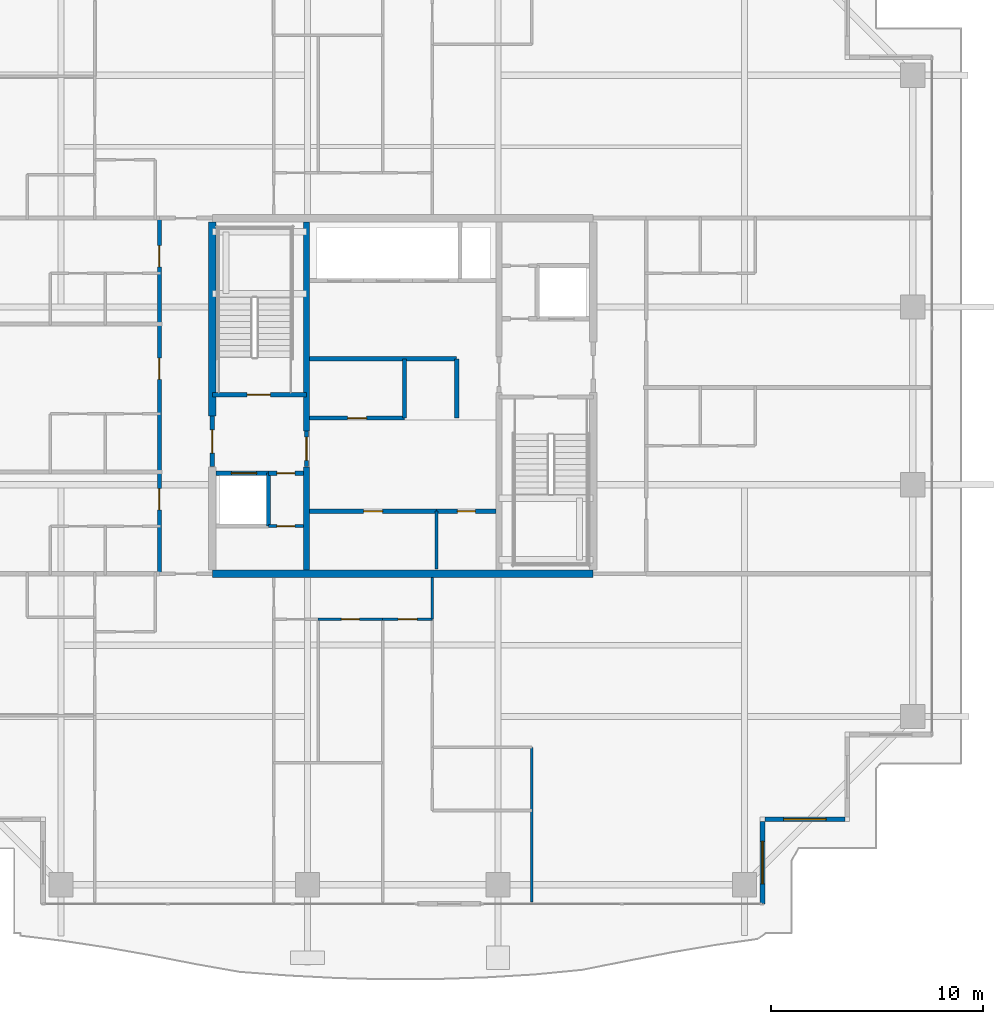
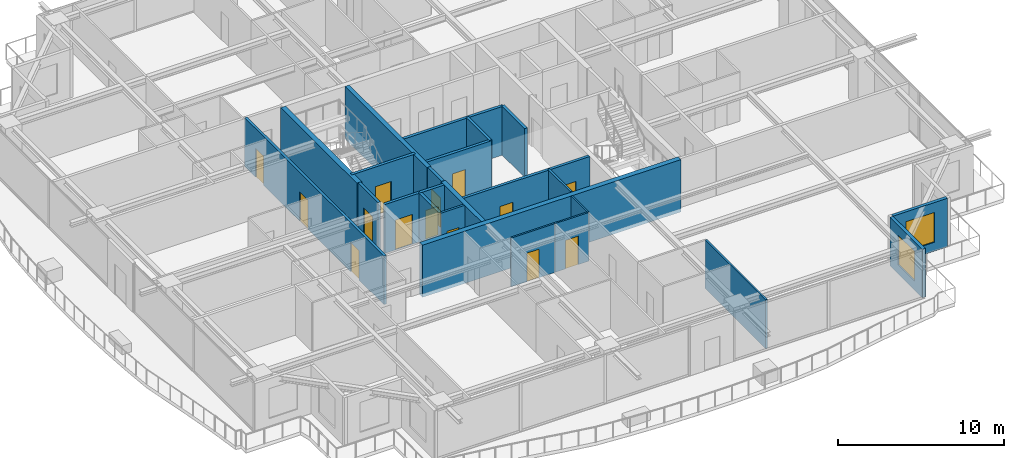
# One storey, part 26 of 36: 25 walls, 14 doors, 2 windows, 16 openings.
"""IFC4 building model written with IfcOpenShell, lengths in metres."""

from ifc_helpers import new_model, si_unit, direction, frame, frame_2d, origin, place, context, subcontext, project, spatial, rectangle, extrude, source, transform, mapped, material, layer, layer_set, type_object, element, fill, save


model = new_model("IFC4")

# Units and contexts
model_context = context("Model", 3, precision=1e-05, world=origin(), true_north=direction((0.0, 1.0)))
body_context = subcontext(model_context, "Body", "Model", "MODEL_VIEW")
ifc_project = project(units=[si_unit("LENGTHUNIT", "METRE"), si_unit("AREAUNIT", "SQUARE_METRE"), si_unit("VOLUMEUNIT", "CUBIC_METRE"), si_unit("PLANEANGLEUNIT", "RADIAN"), si_unit("MASSUNIT", "GRAM", prefix="KILO")], contexts=[model_context])

# Site, building, storey
site_placement = place(None, origin())
site = spatial("IfcSite", under=ifc_project, at=site_placement, CompositionType="ELEMENT")
building_placement = place(site_placement, origin())
building = spatial("IfcBuilding", under=site, at=building_placement, Name="Serunith Strait Residences", CompositionType="ELEMENT")
storey_placement = place(building_placement, frame((0.0, 0.0, 272.050048828125)))
storey = spatial("IfcBuildingStorey", under=building, at=storey_placement, Name="L68", CompositionType="ELEMENT", Elevation=272.050048828125)

# Wall, opening, window
ifc_material_1 = material(Name="Pale-Champagne Aluminium Insulated Panel", Category="aluminium")
ifc_layer_1 = layer(ifc_material_1, 0.219970703125, Name="Pale-Champagne Aluminium Insulated Panel")
ifc_layer_set_1 = layer_set([ifc_layer_1], Name="Pale-Champagne Aluminium Insulated Panel")
wall_type_1 = type_object("IfcWallType", Name="EW-ALUM-220", PredefinedType="ELEMENTEDWALL", material=ifc_layer_set_1)
wall_1_placement = place(storey_placement, frame((49.39990234375, 1.199951171875, 0.0), z_axis=(0.0, 0.0, 1.0), x_axis=(0.0, 1.0, 0.0)))
wall_1 = element("IfcWall", 1, at=wall_1_placement, inside=storey, type_object=wall_type_1, Name="L68 Girih Serrated Corner Wall 02", PredefinedType="ELEMENTEDWALL", context=body_context, shape_type="SweptSolid", body=[
    extrude(rectangle(XDim=3.89013671875, YDim=0.219970703125, at=frame_2d((1.945068359375, 0.0))), origin(), (0.0, 0.0, 1.0), 3.574951171875),
])
opening_1_placement = place(wall_1_placement, frame((0.945068359375, 0.0, 0.64990234375)))
opening_1 = element("IfcOpeningElement", 2, at=opening_1_placement, cuts=wall_1, Name="Opening W-04", PredefinedType="OPENING", context=body_context, shape_type="SweptSolid", body=[
    extrude(rectangle(XDim=2.0, YDim=2.199951171875, at=frame_2d((1.0, 1.10009765625))), frame((0.0, 0.1201171875, 0.0), z_axis=(0.0, -1.0, 0.0), x_axis=(1.0, 0.0, 0.0)), (0.0, 0.0, 1.0), 0.239990234375),
])
ifc_material_2 = material(Name="Ceramic-Fritted Operable Aluminium Window Glass", Category="aluminium")
window_type = type_object("IfcWindowType", Name="WIN-C4", PartitioningType="TRIPLE_PANEL_VERTICAL", PredefinedType="WINDOW", material=ifc_material_2)
shared_shape_1 = source(origin(), body_context, "Body", "SweptSolid", [
    extrude(rectangle(XDim=2.0, YDim=2.199951171875, at=frame_2d((1.0, 1.10009765625))), frame((0.0, 0.030029296875, 0.0), z_axis=(0.0, -1.0, 0.0), x_axis=(1.0, 0.0, 0.0)), (0.0, 0.0, 1.0), 0.06005859375),
])
window_1_placement = place(opening_1_placement, origin())
window_1 = element("IfcWindow", 3, at=window_1_placement, inside=storey, type_object=window_type, Name="L68 Corner Operable Fritted Window 02", OverallHeight=2.199951171875, OverallWidth=2.0, PartitioningType="SINGLE_PANEL", PredefinedType="WINDOW", context=body_context, shape_type="MappedRepresentation", body=[
    mapped(shared_shape_1, transform((0.0, 0.0, 0.0), scale=1.0)),
])
fill(opening_1, window_1)

wall_2_placement = place(storey_placement, frame((49.510009765625, 5.199951171875, 0.0), z_axis=(0.0, 0.0, 1.0), x_axis=(1.0, 0.0, 0.0)))
wall_2 = element("IfcWall", 4, at=wall_2_placement, inside=storey, type_object=wall_type_1, Name="L68 Girih Serrated Corner Wall 03", PredefinedType="ELEMENTEDWALL", context=body_context, shape_type="SweptSolid", body=[
    extrude(rectangle(XDim=3.780029296875, YDim=0.219970703125, at=frame_2d((1.89013671875, 0.0))), origin(), (0.0, 0.0, 1.0), 3.574951171875),
])
opening_2_placement = place(wall_2_placement, frame((0.889892578125, 0.0, 0.64990234375)))
opening_2 = element("IfcOpeningElement", 5, at=opening_2_placement, cuts=wall_2, Name="Opening W-04", PredefinedType="OPENING", context=body_context, shape_type="SweptSolid", body=[
    extrude(rectangle(XDim=2.0, YDim=2.199951171875, at=frame_2d((1.0, 1.10009765625))), frame((0.0, 0.1201171875, 0.0), z_axis=(0.0, -1.0, 0.0), x_axis=(1.0, 0.0, 0.0)), (0.0, 0.0, 1.0), 0.239990234375),
])
window_2_placement = place(opening_2_placement, origin())
window_2 = element("IfcWindow", 6, at=window_2_placement, inside=storey, type_object=window_type, Name="L68 Corner Operable Fritted Window 03", OverallHeight=2.199951171875, OverallWidth=2.0, PartitioningType="SINGLE_PANEL", PredefinedType="WINDOW", context=body_context, shape_type="MappedRepresentation", body=[
    mapped(shared_shape_1, transform((0.0, 0.0, 0.0), scale=1.0)),
])
fill(opening_2, window_2)

# Wall, opening, door
ifc_material_3 = material(Name="Fire-rated masonry service closet wall", Category="masonry")
ifc_layer_2 = layer(ifc_material_3, 0.14990234375, Name="Fire-rated masonry service closet wall")
ifc_layer_set_2 = layer_set([ifc_layer_2], Name="Fire-rated masonry service closet wall")
wall_type_2 = type_object("IfcWallType", Name="IW-BOH-150", PredefinedType="PARTITIONING", material=ifc_layer_set_2)
wall_3_placement = place(storey_placement, frame((26.052001953125, 19.050048828125, 0.0), z_axis=(0.0, 0.0, 1.0), x_axis=(1.0, 0.0, 0.0)))
wall_3 = element("IfcWall", 7, at=wall_3_placement, inside=storey, type_object=wall_type_2, Name="L68 Partition Wall 011", PredefinedType="PARTITIONING", context=body_context, shape_type="SweptSolid", body=[
    extrude(rectangle(XDim=1.64794921875, YDim=0.14990234375, at=frame_2d((0.823974609375, 0.0))), origin(), (0.0, 0.0, 1.0), 3.58984375),
])
opening_3_placement = place(wall_3_placement, frame((0.39892578125, 0.0, 0.0)))
opening_3 = element("IfcOpeningElement", 8, at=opening_3_placement, cuts=wall_3, Name="Opening FD-850", PredefinedType="OPENING", context=body_context, shape_type="SweptSolid", body=[
    extrude(rectangle(XDim=0.85009765625, YDim=2.10009765625, at=frame_2d((0.425048828125, 1.050048828125))), frame((0.0, 0.0849609375, 0.0), z_axis=(0.0, -1.0, 0.0), x_axis=(1.0, 0.0, 0.0)), (0.0, 0.0, 1.0), 0.169921875),
])
ifc_material_4 = material(Name="Powder-coated steel service closet door", Category="steel")
door_type_1 = type_object("IfcDoorType", Name="FD-BOH-850", OperationType="NOTDEFINED", PredefinedType="DOOR", material=ifc_material_4)
shared_shape_2 = source(origin(), body_context, "Body", "SweptSolid", [
    extrude(rectangle(XDim=0.85009765625, YDim=2.10009765625, at=frame_2d((0.425048828125, 1.050048828125))), frame((0.0, 0.02490234375, 0.0), z_axis=(0.0, -1.0, 0.0), x_axis=(1.0, 0.0, 0.0)), (0.0, 0.0, 1.0), 0.050048828125),
])
door_1_placement = place(opening_3_placement, origin())
door_1 = element("IfcDoor", 9, at=door_1_placement, inside=storey, type_object=door_type_1, Name="L68 Water Meter Door", OperationType="SINGLE_SWING_RIGHT", OverallHeight=2.10009765625, OverallWidth=0.85009765625, PredefinedType="DOOR", context=body_context, shape_type="MappedRepresentation", body=[
    mapped(shared_shape_2, transform((0.0, 0.0, 0.0), scale=1.0)),
])
fill(opening_3, door_1)

# Wall
wall_4_placement = place(storey_placement, frame((34.0, 17.02001953125, 0.0), z_axis=(0.0, 0.0, 1.0), x_axis=(0.0, 1.0, 0.0)))
element("IfcWall", 10, at=wall_4_placement, inside=storey, type_object=wall_type_2, Name="L68 Partition Wall 015", PredefinedType="PARTITIONING", context=body_context, shape_type="SweptSolid", body=[
    extrude(rectangle(XDim=2.72998046875, YDim=0.14990234375, at=frame_2d((1.364990234375, 0.0))), origin(), (0.0, 0.0, 1.0), 3.58984375),
])

# Wall, openings, doors
ifc_material_5 = material(Name="Fire-rated acoustic gypsum partition")
ifc_layer_3 = layer(ifc_material_5, 0.179931640625, Name="Fire-rated acoustic gypsum partition")
ifc_layer_set_3 = layer_set([ifc_layer_3], Name="Fire-rated acoustic gypsum partition")
wall_type_3 = type_object("IfcWallType", Name="IW-CORR-180", PredefinedType="PARTITIONING", material=ifc_layer_set_3)
wall_5_placement = place(storey_placement, frame((20.89990234375, 16.800048828125, 0.0), z_axis=(0.0, 0.0, 1.0), x_axis=(0.0, 1.0, 0.0)))
wall_5 = element("IfcWall", 11, at=wall_5_placement, inside=storey, type_object=wall_type_3, Name="L68 Partition Wall 029", PredefinedType="PARTITIONING", context=body_context, shape_type="SweptSolid", body=[
    extrude(rectangle(XDim=16.800048828125, YDim=0.179931640625, at=frame_2d((8.39990234375, 0.0))), origin(), (0.0, 0.0, 1.0), 3.58984375),
])
opening_4_placement = place(wall_5_placement, frame((3.01806640625, 0.0, 0.0)))
opening_4 = element("IfcOpeningElement", 12, at=opening_4_placement, cuts=wall_5, Name="Opening D-APT1000", PredefinedType="OPENING", context=body_context, shape_type="SweptSolid", body=[
    extrude(rectangle(XDim=1.0, YDim=2.14990234375, at=frame_2d((0.5, 1.074951171875))), frame((0.0, 0.10009765625, 0.0), z_axis=(0.0, -1.0, 0.0), x_axis=(1.0, 0.0, 0.0)), (0.0, 0.0, 1.0), 0.199951171875),
])
opening_5_placement = place(wall_5_placement, frame((9.179931640625, 0.0, 0.0)))
opening_5 = element("IfcOpeningElement", 13, at=opening_5_placement, cuts=wall_5, Name="Opening D-APT1000", PredefinedType="OPENING", context=body_context, shape_type="SweptSolid", body=[
    extrude(rectangle(XDim=1.0, YDim=2.14990234375, at=frame_2d((0.5, 1.074951171875))), frame((0.0, 0.10009765625, 0.0), z_axis=(0.0, -1.0, 0.0), x_axis=(1.0, 0.0, 0.0)), (0.0, 0.0, 1.0), 0.199951171875),
])
opening_6_placement = place(wall_5_placement, frame((14.5, 0.0, 0.0)))
opening_6 = element("IfcOpeningElement", 14, at=opening_6_placement, cuts=wall_5, Name="Opening D-APT1000", PredefinedType="OPENING", context=body_context, shape_type="SweptSolid", body=[
    extrude(rectangle(XDim=1.0, YDim=2.14990234375, at=frame_2d((0.5, 1.074951171875))), frame((0.0, 0.10009765625, 0.0), z_axis=(0.0, -1.0, 0.0), x_axis=(1.0, 0.0, 0.0)), (0.0, 0.0, 1.0), 0.199951171875),
])
ifc_material_6 = material(Name="Solid timber engineered fire door", Category="wood")
door_type_2 = type_object("IfcDoorType", Name="ID-APT-1000", OperationType="NOTDEFINED", PredefinedType="DOOR", material=ifc_material_6)
shared_shape_3 = source(origin(), body_context, "Body", "SweptSolid", [
    extrude(rectangle(XDim=1.0, YDim=2.14990234375, at=frame_2d((0.5, 1.074951171875))), frame((0.0, 0.02490234375, 0.0), z_axis=(0.0, -1.0, 0.0), x_axis=(1.0, 0.0, 0.0)), (0.0, 0.0, 1.0), 0.050048828125),
])
door_2_placement = place(opening_4_placement, origin())
door_2 = element("IfcDoor", 15, at=door_2_placement, inside=storey, type_object=door_type_2, Name="L68 Unit 03 Entrance Door", OperationType="SINGLE_SWING_LEFT", OverallHeight=2.14990234375, OverallWidth=1.0, PredefinedType="DOOR", context=body_context, shape_type="MappedRepresentation", body=[
    mapped(shared_shape_3, transform((0.0, 0.0, 0.0), scale=1.0)),
])
fill(opening_4, door_2)
door_3_placement = place(opening_5_placement, origin())
door_3 = element("IfcDoor", 16, at=door_3_placement, inside=storey, type_object=door_type_2, Name="L68 Unit 04 Entrance Door", OperationType="SINGLE_SWING_RIGHT", OverallHeight=2.14990234375, OverallWidth=1.0, PredefinedType="DOOR", context=body_context, shape_type="MappedRepresentation", body=[
    mapped(shared_shape_3, transform((0.0, 0.0, 0.0), scale=1.0)),
])
fill(opening_5, door_3)
door_4_placement = place(opening_6_placement, origin())
door_4 = element("IfcDoor", 17, at=door_4_placement, inside=storey, type_object=door_type_2, Name="L68 Unit 05 Entrance Door", OperationType="SINGLE_SWING_LEFT", OverallHeight=2.14990234375, OverallWidth=1.0, PredefinedType="DOOR", context=body_context, shape_type="MappedRepresentation", body=[
    mapped(shared_shape_3, transform((0.0, 0.0, 0.0), scale=1.0)),
])
fill(opening_6, door_4)

# Wall, opening, door
ifc_material_7 = material(Name="Lightweight steel-stud gypsum partition", Category="steel")
ifc_layer_4 = layer(ifc_material_7, 0.1201171875, Name="Lightweight steel-stud gypsum partition")
ifc_layer_set_4 = layer_set([ifc_layer_4], Name="Lightweight steel-stud gypsum partition")
wall_type_4 = type_object("IfcWallType", Name="IW-PART-120", PredefinedType="PARTITIONING", material=ifc_layer_set_4)
wall_6_placement = place(storey_placement, frame((28.402099609375, 14.64990234375, 0.0), z_axis=(0.0, 0.0, 1.0), x_axis=(1.0, 0.0, 0.0)))
wall_6 = element("IfcWall", 18, at=wall_6_placement, inside=storey, type_object=wall_type_4, Name="L68 Partition Wall 048", PredefinedType="PARTITIONING", context=body_context, shape_type="SweptSolid", body=[
    extrude(rectangle(XDim=3.0478515625, YDim=0.1201171875, at=frame_2d((1.52392578125, 0.0))), origin(), (0.0, 0.0, 1.0), 3.58984375),
])
opening_7_placement = place(wall_6_placement, frame((1.09912109375, 0.0, 0.0)))
opening_7 = element("IfcOpeningElement", 19, at=opening_7_placement, cuts=wall_6, Name="Opening D-RM850", PredefinedType="OPENING", context=body_context, shape_type="SweptSolid", body=[
    extrude(rectangle(XDim=0.85009765625, YDim=2.10009765625, at=frame_2d((0.425048828125, 1.050048828125))), frame((0.0, 0.070068359375, 0.0), z_axis=(0.0, -1.0, 0.0), x_axis=(1.0, 0.0, 0.0)), (0.0, 0.0, 1.0), 0.14013671875),
])
ifc_material_8 = material(Name="Engineered timber flush study and kitchen door", Category="wood")
door_type_3 = type_object("IfcDoorType", Name="ID-ROOM-850", OperationType="NOTDEFINED", PredefinedType="DOOR", material=ifc_material_8)
door_5_placement = place(opening_7_placement, origin())
door_5 = element("IfcDoor", 20, at=door_5_placement, inside=storey, type_object=door_type_3, Name="L68 Formal Dining Room 6801 Door", OperationType="SINGLE_SWING_LEFT", OverallHeight=2.10009765625, OverallWidth=0.85009765625, PredefinedType="DOOR", context=body_context, shape_type="MappedRepresentation", body=[
    mapped(shared_shape_2, transform((0.0, 0.0, 0.0), scale=1.0)),
])
fill(opening_7, door_5)

wall_7_placement = place(storey_placement, frame((31.451904296875, 14.64990234375, 0.0), z_axis=(0.0, 0.0, 1.0), x_axis=(1.0, 0.0, 0.0)))
wall_7 = element("IfcWall", 21, at=wall_7_placement, inside=storey, type_object=wall_type_4, Name="L68 Partition Wall 049", PredefinedType="PARTITIONING", context=body_context, shape_type="SweptSolid", body=[
    extrude(rectangle(XDim=2.34814453125, YDim=0.1201171875, at=frame_2d((1.174072265625, 0.0))), origin(), (0.0, 0.0, 1.0), 3.58984375),
])
opening_8_placement = place(wall_7_placement, frame((0.72412109375, 0.0, 0.0)))
opening_8 = element("IfcOpeningElement", 22, at=opening_8_placement, cuts=wall_7, Name="Opening D-RM900", PredefinedType="OPENING", context=body_context, shape_type="SweptSolid", body=[
    extrude(rectangle(XDim=0.89990234375, YDim=2.10009765625, at=frame_2d((0.449951171875, 1.050048828125))), frame((0.0, 0.070068359375, 0.0), z_axis=(0.0, -1.0, 0.0), x_axis=(1.0, 0.0, 0.0)), (0.0, 0.0, 1.0), 0.14013671875),
])
ifc_material_9 = material(Name="Engineered timber flush bedroom door", Category="wood")
door_type_4 = type_object("IfcDoorType", Name="ID-ROOM-900", OperationType="NOTDEFINED", PredefinedType="DOOR", material=ifc_material_9)
shared_shape_4 = source(origin(), body_context, "Body", "SweptSolid", [
    extrude(rectangle(XDim=0.89990234375, YDim=2.10009765625, at=frame_2d((0.449951171875, 1.050048828125))), frame((0.0, 0.02490234375, 0.0), z_axis=(0.0, -1.0, 0.0), x_axis=(1.0, 0.0, 0.0)), (0.0, 0.0, 1.0), 0.050048828125),
])
door_6_placement = place(opening_8_placement, origin())
door_6 = element("IfcDoor", 23, at=door_6_placement, inside=storey, type_object=door_type_4, Name="L68 Master Bedroom E 6801 Door", OperationType="SINGLE_SWING_RIGHT", OverallHeight=2.10009765625, OverallWidth=0.89990234375, PredefinedType="DOOR", context=body_context, shape_type="MappedRepresentation", body=[
    mapped(shared_shape_4, transform((0.0, 0.0, 0.0), scale=1.0)),
])
fill(opening_8, door_6)

# Walls
wall_8_placement = place(storey_placement, frame((38.5, 1.294921875, 0.0), z_axis=(0.0, 0.0, 1.0), x_axis=(0.0, 1.0, 0.0)))
element("IfcWall", 24, at=wall_8_placement, inside=storey, type_object=wall_type_4, Name="L68 Partition Wall 051", PredefinedType="PARTITIONING", context=body_context, shape_type="SweptSolid", body=[
    extrude(rectangle(XDim=7.29296875, YDim=0.1201171875, at=frame_2d((3.646484375, 0.0))), origin(), (0.0, 0.0, 1.0), 3.58984375),
])
wall_9_placement = place(storey_placement, frame((33.800048828125, 14.652099609375, 0.0), z_axis=(0.0, 0.0, 1.0), x_axis=(0.0, 1.0, 0.0)))
element("IfcWall", 25, at=wall_9_placement, inside=storey, type_object=wall_type_4, Name="L68 Partition Wall 055", PredefinedType="PARTITIONING", context=body_context, shape_type="SweptSolid", body=[
    extrude(rectangle(XDim=1.972900390625, YDim=0.1201171875, at=frame_2d((0.986328125, 0.0))), origin(), (0.0, 0.0, 1.0), 3.58984375),
])

# Wall, opening, door
ifc_material_10 = material(Name="Autoclaved aerated concrete blockwork", Category="masonry")
ifc_layer_5 = layer(ifc_material_10, 0.199951171875, Name="Autoclaved aerated concrete blockwork")
ifc_layer_set_5 = layer_set([ifc_layer_5], Name="Autoclaved aerated concrete blockwork")
wall_type_5 = type_object("IfcWallType", Name="IW-SHAFT-200", PredefinedType="STANDARD", material=ifc_layer_set_5)
wall_10_placement = place(storey_placement, frame((23.39990234375, 25.25, 0.0), z_axis=(0.0, 0.0, 1.0), x_axis=(1.0, 0.0, 0.0)))
wall_10 = element("IfcWall", 26, at=wall_10_placement, inside=storey, type_object=wall_type_5, Name="L68 ST-1 South Shaft Wall", PredefinedType="STANDARD", context=body_context, shape_type="SweptSolid", body=[
    extrude(rectangle(XDim=4.4501953125, YDim=0.199951171875, at=frame_2d((2.22509765625, 0.0))), origin(), (0.0, 0.0, 1.0), 3.58984375),
])
opening_9_placement = place(wall_10_placement, frame((1.64990234375, 0.0, 0.0)))
opening_9 = element("IfcOpeningElement", 27, at=opening_9_placement, cuts=wall_10, Name="Opening FD-1100", PredefinedType="OPENING", context=body_context, shape_type="SweptSolid", body=[
    extrude(rectangle(XDim=1.10009765625, YDim=2.14990234375, at=frame_2d((0.550048828125, 1.074951171875))), frame((0.0, 0.10986328125, 0.0), z_axis=(0.0, -1.0, 0.0), x_axis=(1.0, 0.0, 0.0)), (0.0, 0.0, 1.0), 0.219970703125),
])
ifc_material_11 = material(Name="Galvanised steel fire door leaf", Category="steel")
door_type_5 = type_object("IfcDoorType", Name="FD-STAIR-1100", OperationType="NOTDEFINED", PredefinedType="DOOR", material=ifc_material_11)
shared_shape_5 = source(origin(), body_context, "Body", "SweptSolid", [
    extrude(rectangle(XDim=1.10009765625, YDim=2.14990234375, at=frame_2d((0.550048828125, 1.074951171875))), frame((0.0, 0.02490234375, 0.0), z_axis=(0.0, -1.0, 0.0), x_axis=(1.0, 0.0, 0.0)), (0.0, 0.0, 1.0), 0.050048828125),
])
door_7_placement = place(opening_9_placement, origin())
door_7 = element("IfcDoor", 28, at=door_7_placement, inside=storey, type_object=door_type_5, Name="L68 ST-1 Escape Stair Door", OperationType="SINGLE_SWING_RIGHT", OverallHeight=2.14990234375, OverallWidth=1.10009765625, PredefinedType="DOOR", context=body_context, shape_type="MappedRepresentation", body=[
    mapped(shared_shape_5, transform((0.0, 0.0, 0.0), scale=1.0)),
])
fill(opening_9, door_7)

wall_11_placement = place(storey_placement, frame((23.574951171875, 21.550048828125, 0.0), z_axis=(0.0, 0.0, 1.0), x_axis=(1.0, 0.0, 0.0)))
wall_11 = element("IfcWall", 29, at=wall_11_placement, inside=storey, type_object=wall_type_5, Name="L68 FL-1 North Shaft Wall", PredefinedType="STANDARD", context=body_context, shape_type="SweptSolid", body=[
    extrude(rectangle(XDim=2.47509765625, YDim=0.199951171875, at=frame_2d((1.237548828125, 0.0))), origin(), (0.0, 0.0, 1.0), 3.58984375),
])
opening_10_placement = place(wall_11_placement, frame((0.72509765625, 0.0, 0.0)))
opening_10 = element("IfcOpeningElement", 30, at=opening_10_placement, cuts=wall_11, Name="Opening LD-FF1200", PredefinedType="OPENING", context=body_context, shape_type="SweptSolid", body=[
    extrude(rectangle(XDim=1.199951171875, YDim=2.199951171875, at=frame_2d((0.60009765625, 1.10009765625))), frame((0.0, 0.10986328125, 0.0), z_axis=(0.0, -1.0, 0.0), x_axis=(1.0, 0.0, 0.0)), (0.0, 0.0, 1.0), 0.219970703125),
])
ifc_material_12 = material(Name="Brushed stainless steel landing door", Category="steel")
door_type_6 = type_object("IfcDoorType", Name="LD-FF-1200", OperationType="DOUBLE_DOOR_SLIDING", PredefinedType="DOOR", material=ifc_material_12)
shared_shape_6 = source(origin(), body_context, "Body", "SweptSolid", [
    extrude(rectangle(XDim=1.199951171875, YDim=2.199951171875, at=frame_2d((0.60009765625, 1.10009765625))), frame((0.0, 0.02490234375, 0.0), z_axis=(0.0, -1.0, 0.0), x_axis=(1.0, 0.0, 0.0)), (0.0, 0.0, 1.0), 0.050048828125),
])
door_8_placement = place(opening_10_placement, origin())
door_8 = element("IfcDoor", 31, at=door_8_placement, inside=storey, type_object=door_type_6, Name="L68 FL-1 Landing Door", OperationType="DOUBLE_DOOR_SLIDING", OverallHeight=2.199951171875, OverallWidth=1.199951171875, PredefinedType="DOOR", context=body_context, shape_type="MappedRepresentation", body=[
    mapped(shared_shape_6, transform((0.0, 0.0, 0.0), scale=1.0)),
])
fill(opening_10, door_8)

# Wall
wall_12_placement = place(storey_placement, frame((26.050048828125, 19.050048828125, 0.0), z_axis=(0.0, 0.0, 1.0), x_axis=(0.0, 1.0, 0.0)))
element("IfcWall", 32, at=wall_12_placement, inside=storey, type_object=wall_type_5, Name="L68 Partition Wall 001", PredefinedType="STANDARD", context=body_context, shape_type="SweptSolid", body=[
    extrude(rectangle(XDim=2.5, YDim=0.199951171875, at=frame_2d((1.25, 0.0))), origin(), (0.0, 0.0, 1.0), 3.58984375),
])

# Wall, opening, door
wall_13_placement = place(storey_placement, frame((26.052001953125, 21.550048828125, 0.0), z_axis=(0.0, 0.0, 1.0), x_axis=(1.0, 0.0, 0.0)))
wall_13 = element("IfcWall", 33, at=wall_13_placement, inside=storey, type_object=wall_type_5, Name="L68 Partition Wall 003", PredefinedType="STANDARD", context=body_context, shape_type="SweptSolid", body=[
    extrude(rectangle(XDim=1.64794921875, YDim=0.199951171875, at=frame_2d((0.823974609375, 0.0))), origin(), (0.0, 0.0, 1.0), 3.58984375),
])
opening_11_placement = place(wall_13_placement, frame((0.39892578125, 0.0, 0.0)))
opening_11 = element("IfcOpeningElement", 34, at=opening_11_placement, cuts=wall_13, Name="Opening FD-850", PredefinedType="OPENING", context=body_context, shape_type="SweptSolid", body=[
    extrude(rectangle(XDim=0.85009765625, YDim=2.10009765625, at=frame_2d((0.425048828125, 1.050048828125))), frame((0.0, 0.10986328125, 0.0), z_axis=(0.0, -1.0, 0.0), x_axis=(1.0, 0.0, 0.0)), (0.0, 0.0, 1.0), 0.219970703125),
])
door_9_placement = place(opening_11_placement, origin())
door_9 = element("IfcDoor", 35, at=door_9_placement, inside=storey, type_object=door_type_1, Name="L68 South-West Core Service Door", OperationType="SINGLE_SWING_RIGHT", OverallHeight=2.10009765625, OverallWidth=0.85009765625, PredefinedType="DOOR", context=body_context, shape_type="MappedRepresentation", body=[
    mapped(shared_shape_2, transform((0.0, 0.0, 0.0), scale=1.0)),
])
fill(opening_11, door_9)

wall_14_placement = place(storey_placement, frame((23.39990234375, 21.85205078125, 0.0), z_axis=(0.0, 0.0, 1.0), x_axis=(0.0, 1.0, 0.0)))
wall_14 = element("IfcWall", 36, at=wall_14_placement, inside=storey, type_object=wall_type_5, Name="L68 Partition Wall 007", PredefinedType="STANDARD", context=body_context, shape_type="SweptSolid", body=[
    extrude(rectangle(XDim=2.39599609375, YDim=0.199951171875, at=frame_2d((1.197998046875, 0.0))), origin(), (0.0, 0.0, 1.0), 3.58984375),
])
opening_12_placement = place(wall_14_placement, frame((0.64794921875, 0.0, 0.0)))
opening_12 = element("IfcOpeningElement", 37, at=opening_12_placement, cuts=wall_14, Name="Opening FD-FFL", PredefinedType="OPENING", context=body_context, shape_type="SweptSolid", body=[
    extrude(rectangle(XDim=1.10009765625, YDim=2.14990234375, at=frame_2d((0.550048828125, 1.074951171875))), frame((0.0, 0.10986328125, 0.0), z_axis=(0.0, -1.0, 0.0), x_axis=(1.0, 0.0, 0.0)), (0.0, 0.0, 1.0), 0.219970703125),
])
ifc_material_13 = material(Name="Glazed steel smoke-lobby fire door", Category="steel")
door_type_7 = type_object("IfcDoorType", Name="FD-FFL-1100", OperationType="NOTDEFINED", PredefinedType="DOOR", material=ifc_material_13)
door_10_placement = place(opening_12_placement, origin())
door_10 = element("IfcDoor", 38, at=door_10_placement, inside=storey, type_object=door_type_7, Name="L68 FFL-1 Corridor Fire Door", OperationType="SINGLE_SWING_RIGHT", OverallHeight=2.14990234375, OverallWidth=1.10009765625, PredefinedType="DOOR", context=body_context, shape_type="MappedRepresentation", body=[
    mapped(shared_shape_5, transform((0.0, 0.0, 0.0), scale=1.0)),
])
fill(opening_12, door_10)

wall_15_placement = place(storey_placement, frame((27.85009765625, 21.85205078125, 0.0), z_axis=(0.0, 0.0, 1.0), x_axis=(0.0, 1.0, 0.0)))
wall_15 = element("IfcWall", 39, at=wall_15_placement, inside=storey, type_object=wall_type_5, Name="L68 Partition Wall 009", PredefinedType="STANDARD", context=body_context, shape_type="SweptSolid", body=[
    extrude(rectangle(XDim=1.696044921875, YDim=0.199951171875, at=frame_2d((0.84814453125, 0.0))), origin(), (0.0, 0.0, 1.0), 3.58984375),
])
opening_13_placement = place(wall_15_placement, frame((0.298095703125, 0.0, 0.0)))
opening_13 = element("IfcOpeningElement", 40, at=opening_13_placement, cuts=wall_15, Name="Opening FD-FFL", PredefinedType="OPENING", context=body_context, shape_type="SweptSolid", body=[
    extrude(rectangle(XDim=1.10009765625, YDim=2.14990234375, at=frame_2d((0.550048828125, 1.074951171875))), frame((0.0, 0.10986328125, 0.0), z_axis=(0.0, -1.0, 0.0), x_axis=(1.0, 0.0, 0.0)), (0.0, 0.0, 1.0), 0.219970703125),
])
door_11_placement = place(opening_13_placement, origin())
door_11 = element("IfcDoor", 41, at=door_11_placement, inside=storey, type_object=door_type_7, Name="L68 FFL-1 Lift Lobby Door", OperationType="SINGLE_SWING_RIGHT", OverallHeight=2.14990234375, OverallWidth=1.10009765625, PredefinedType="DOOR", context=body_context, shape_type="MappedRepresentation", body=[
    mapped(shared_shape_5, transform((0.0, 0.0, 0.0), scale=1.0)),
])
fill(opening_13, door_11)

wall_16_placement = place(storey_placement, frame((28.0, 19.75, 0.0), z_axis=(0.0, 0.0, 1.0), x_axis=(1.0, 0.0, 0.0)))
wall_16 = element("IfcWall", 42, at=wall_16_placement, inside=storey, type_object=wall_type_5, Name="L68 Partition Wall 013", PredefinedType="STANDARD", context=body_context, shape_type="SweptSolid", body=[
    extrude(rectangle(XDim=6.0, YDim=0.199951171875, at=frame_2d((3.0, 0.0))), origin(), (0.0, 0.0, 1.0), 3.58984375),
])
opening_14_placement = place(wall_16_placement, frame((2.550048828125, 0.0, 0.0)))
opening_14 = element("IfcOpeningElement", 43, at=opening_14_placement, cuts=wall_16, Name="Opening FD-900", PredefinedType="OPENING", context=body_context, shape_type="SweptSolid", body=[
    extrude(rectangle(XDim=0.89990234375, YDim=2.10009765625, at=frame_2d((0.449951171875, 1.050048828125))), frame((0.0, 0.10986328125, 0.0), z_axis=(0.0, -1.0, 0.0), x_axis=(1.0, 0.0, 0.0)), (0.0, 0.0, 1.0), 0.219970703125),
])
ifc_material_14 = material(Name="Powder-coated steel riser door", Category="steel")
door_type_8 = type_object("IfcDoorType", Name="FD-BOH-900", OperationType="NOTDEFINED", PredefinedType="DOOR", material=ifc_material_14)
door_12_placement = place(opening_14_placement, origin())
door_12 = element("IfcDoor", 44, at=door_12_placement, inside=storey, type_object=door_type_8, Name="L68 Telecoms Comms Door", OperationType="SINGLE_SWING_RIGHT", OverallHeight=2.10009765625, OverallWidth=0.89990234375, PredefinedType="DOOR", context=body_context, shape_type="MappedRepresentation", body=[
    mapped(shared_shape_4, transform((0.0, 0.0, 0.0), scale=1.0)),
])
fill(opening_14, door_12)

wall_17_placement = place(storey_placement, frame((34.001953125, 19.75, 0.0), z_axis=(0.0, 0.0, 1.0), x_axis=(1.0, 0.0, 0.0)))
wall_17 = element("IfcWall", 45, at=wall_17_placement, inside=storey, type_object=wall_type_5, Name="L68 Partition Wall 014", PredefinedType="STANDARD", context=body_context, shape_type="SweptSolid", body=[
    extrude(rectangle(XDim=2.798095703125, YDim=0.199951171875, at=frame_2d((1.39892578125, 0.0))), origin(), (0.0, 0.0, 1.0), 3.58984375),
])
opening_15_placement = place(wall_17_placement, frame((0.97412109375, 0.0, 0.0)))
opening_15 = element("IfcOpeningElement", 46, at=opening_15_placement, cuts=wall_17, Name="Opening FD-850", PredefinedType="OPENING", context=body_context, shape_type="SweptSolid", body=[
    extrude(rectangle(XDim=0.85009765625, YDim=2.10009765625, at=frame_2d((0.425048828125, 1.050048828125))), frame((0.0, 0.10986328125, 0.0), z_axis=(0.0, -1.0, 0.0), x_axis=(1.0, 0.0, 0.0)), (0.0, 0.0, 1.0), 0.219970703125),
])
door_13_placement = place(opening_15_placement, origin())
door_13 = element("IfcDoor", 47, at=door_13_placement, inside=storey, type_object=door_type_1, Name="L68 Floor Linen Closet Door", OperationType="SINGLE_SWING_LEFT", OverallHeight=2.10009765625, OverallWidth=0.85009765625, PredefinedType="DOOR", context=body_context, shape_type="MappedRepresentation", body=[
    mapped(shared_shape_2, transform((0.0, 0.0, 0.0), scale=1.0)),
])
fill(opening_15, door_13)

# Walls
wall_18_placement = place(storey_placement, frame((28.0, 26.949951171875, 0.0), z_axis=(0.0, 0.0, 1.0), x_axis=(1.0, 0.0, 0.0)))
element("IfcWall", 48, at=wall_18_placement, inside=storey, type_object=wall_type_5, Name="L68 Partition Wall 016", PredefinedType="STANDARD", context=body_context, shape_type="SweptSolid", body=[
    extrude(rectangle(XDim=6.949951171875, YDim=0.199951171875, at=frame_2d((3.47509765625, 0.0))), origin(), (0.0, 0.0, 1.0), 3.58984375),
])
wall_19_placement = place(storey_placement, frame((34.949951171875, 24.14990234375, 0.0), z_axis=(0.0, 0.0, 1.0), x_axis=(0.0, 1.0, 0.0)))
element("IfcWall", 49, at=wall_19_placement, inside=storey, type_object=wall_type_5, Name="L68 Partition Wall 017", PredefinedType="STANDARD", context=body_context, shape_type="SweptSolid", body=[
    extrude(rectangle(XDim=2.800048828125, YDim=0.199951171875, at=frame_2d((1.39990234375, 0.0))), origin(), (0.0, 0.0, 1.0), 3.58984375),
])

# Wall, opening, door
wall_20_placement = place(storey_placement, frame((28.0, 24.14990234375, 0.0), z_axis=(0.0, 0.0, 1.0), x_axis=(1.0, 0.0, 0.0)))
wall_20 = element("IfcWall", 50, at=wall_20_placement, inside=storey, type_object=wall_type_5, Name="L68 Partition Wall 018", PredefinedType="STANDARD", context=body_context, shape_type="SweptSolid", body=[
    extrude(rectangle(XDim=4.47998046875, YDim=0.199951171875, at=frame_2d((2.239990234375, 0.0))), origin(), (0.0, 0.0, 1.0), 3.58984375),
])
opening_16_placement = place(wall_20_placement, frame((1.7900390625, 0.0, 0.0)))
opening_16 = element("IfcOpeningElement", 51, at=opening_16_placement, cuts=wall_20, Name="Opening FD-900", PredefinedType="OPENING", context=body_context, shape_type="SweptSolid", body=[
    extrude(rectangle(XDim=0.89990234375, YDim=2.10009765625, at=frame_2d((0.449951171875, 1.050048828125))), frame((0.0, 0.10986328125, 0.0), z_axis=(0.0, -1.0, 0.0), x_axis=(1.0, 0.0, 0.0)), (0.0, 0.0, 1.0), 0.219970703125),
])
door_14_placement = place(opening_16_placement, origin())
door_14 = element("IfcDoor", 52, at=door_14_placement, inside=storey, type_object=door_type_8, Name="L68 Equipment Store Door", OperationType="SINGLE_SWING_RIGHT", OverallHeight=2.10009765625, OverallWidth=0.89990234375, PredefinedType="DOOR", context=body_context, shape_type="MappedRepresentation", body=[
    mapped(shared_shape_4, transform((0.0, 0.0, 0.0), scale=1.0)),
])
fill(opening_16, door_14)

# Walls
wall_21_placement = place(storey_placement, frame((32.47998046875, 24.14990234375, 0.0), z_axis=(0.0, 0.0, 1.0), x_axis=(0.0, 1.0, 0.0)))
element("IfcWall", 53, at=wall_21_placement, inside=storey, type_object=wall_type_5, Name="L68 Partition Wall 019", PredefinedType="STANDARD", context=body_context, shape_type="SweptSolid", body=[
    extrude(rectangle(XDim=2.800048828125, YDim=0.199951171875, at=frame_2d((1.39990234375, 0.0))), origin(), (0.0, 0.0, 1.0), 3.58984375),
])
ifc_material_15 = material(Name="Concrete C60/75", Category="concrete")
ifc_layer_6 = layer(ifc_material_15, 0.300048828125, Name="Concrete C60/75")
ifc_layer_set_6 = layer_set([ifc_layer_6], Name="Concrete C60/75")
wall_type_6 = type_object("IfcWallType", Name="SW-300-C60", PredefinedType="SHEAR", material=ifc_layer_set_6)
wall_22_placement = place(storey_placement, frame((27.85009765625, 16.97509765625, -0.260009765625), z_axis=(0.0, 0.0, 1.0), x_axis=(0.0, 1.0, 0.0)))
element("IfcWall", 54, at=wall_22_placement, inside=storey, type_object=wall_type_6, Name="L68 Core Internal West Web South Pier", PredefinedType="SHEAR", context=body_context, shape_type="SweptSolid", body=[
    extrude(rectangle(XDim=4.875, YDim=0.300048828125, at=frame_2d((2.4375, 0.0))), origin(), (0.0, 0.0, 1.0), 3.847900390625),
])
wall_23_placement = place(storey_placement, frame((27.85009765625, 23.550048828125, -0.260009765625), z_axis=(0.0, 0.0, 1.0), x_axis=(0.0, 1.0, 0.0)))
element("IfcWall", 55, at=wall_23_placement, inside=storey, type_object=wall_type_6, Name="L68 Core Internal West Web North Pier", PredefinedType="SHEAR", context=body_context, shape_type="SweptSolid", body=[
    extrude(rectangle(XDim=9.875, YDim=0.300048828125, at=frame_2d((4.9375, 0.0))), origin(), (0.0, 0.0, 1.0), 3.847900390625),
])
ifc_layer_7 = layer(ifc_material_15, 0.35009765625, Name="Concrete C60/75")
ifc_layer_set_7 = layer_set([ifc_layer_7], Name="Concrete C60/75")
wall_type_7 = type_object("IfcWallType", Name="SW-350-C60", PredefinedType="SHEAR", material=ifc_layer_set_7)
wall_24_placement = place(storey_placement, frame((23.39990234375, 16.800048828125, -0.260009765625), z_axis=(0.0, 0.0, 1.0), x_axis=(1.0, 0.0, 0.0)))
element("IfcWall", 56, at=wall_24_placement, inside=storey, type_object=wall_type_7, Name="L68 Core South Shear Wall", PredefinedType="SHEAR", context=body_context, shape_type="SweptSolid", body=[
    extrude(rectangle(XDim=18.0, YDim=0.35009765625, at=frame_2d((9.0, 0.0))), origin(), (0.0, 0.0, 1.0), 3.847900390625),
])
wall_25_placement = place(storey_placement, frame((23.39990234375, 24.25, -0.260009765625), z_axis=(0.0, 0.0, 1.0), x_axis=(0.0, 1.0, 0.0)))
element("IfcWall", 57, at=wall_25_placement, inside=storey, type_object=wall_type_7, Name="L68 Core West Shear Wall North Pier", PredefinedType="SHEAR", context=body_context, shape_type="SweptSolid", body=[
    extrude(rectangle(XDim=9.175048828125, YDim=0.35009765625, at=frame_2d((4.58740234375, 0.0))), origin(), (0.0, 0.0, 1.0), 3.847900390625),
])

save(model, "model.ifc")
